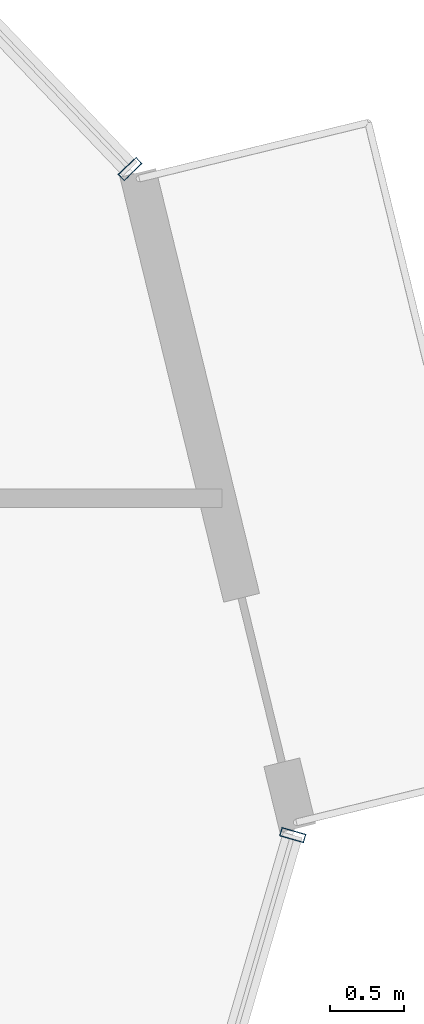
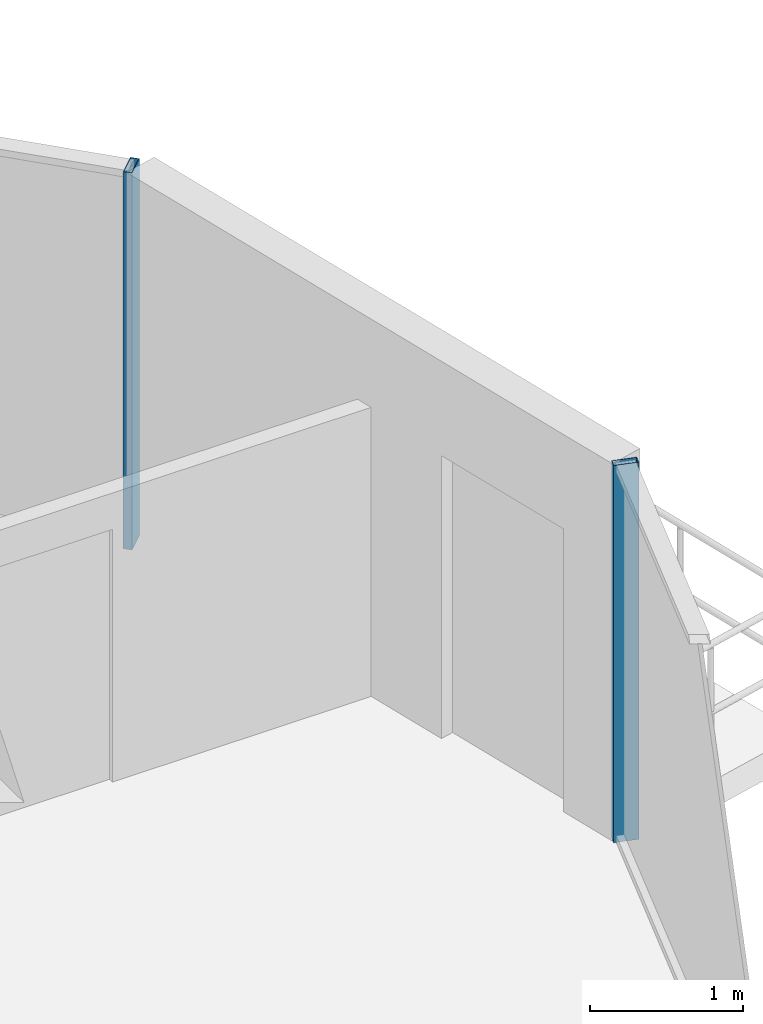
# One storey, part 19 of 37: 2 members, 2 elements without a shape of their own.
"""IFC4 building model written with IfcOpenShell, lengths in metres."""

from ifc_helpers import new_model, si_unit, direction, frame, origin, origin_2d, place, context, subcontext, project, spatial, hollow_rectangle, extrude, source, transform, mapped, material, layer, layer_set, material_profile, profile_set, type_object, element, aggregate, save


model = new_model("IFC4")

# Units and contexts
model_context = context("Model", 3, precision=1e-05, world=origin(), true_north=direction((0.0, 1.0)))
body_context = subcontext(model_context, "Body", "Model", "MODEL_VIEW")
ifc_project = project(units=[si_unit("LENGTHUNIT", "METRE"), si_unit("AREAUNIT", "SQUARE_METRE"), si_unit("VOLUMEUNIT", "CUBIC_METRE"), si_unit("PLANEANGLEUNIT", "RADIAN"), si_unit("MASSUNIT", "GRAM", prefix="KILO")], contexts=[model_context])

# Site, building, storey
site_placement = place(None, origin())
site = spatial("IfcSite", under=ifc_project, at=site_placement, CompositionType="ELEMENT")
building_placement = place(site_placement, origin())
building = spatial("IfcBuilding", under=site, at=building_placement, Name="Veraguas Prism Commons", CompositionType="ELEMENT")
storey_placement = place(building_placement, frame((0.0, 0.0, 70.60009765625)))
storey = spatial("IfcBuildingStorey", under=building, at=storey_placement, Name="L19", CompositionType="ELEMENT", Elevation=70.60009765625)

# Curtain wall, member
ifc_material = material(Name="Anodised aluminium EN AW-6063 T6", Category="aluminium")
ifc_layer = layer(ifc_material, 0.169921875, Name="Unitised Flush Curtain Wall Zone 1", Category="aluminium")
ifc_layer_set = layer_set([ifc_layer], Name="Anodised aluminium EN AW-6063 T6")
curtain_wall_type = type_object("IfcCurtainWallType", Name="Unitised Flush Curtain Wall Zone 1", PredefinedType="NOTDEFINED", material=ifc_layer_set)
curtain_wall_1_placement = place(storey_placement, origin())
curtain_wall_1 = element("IfcCurtainWall", 1, at=curtain_wall_1_placement, inside=storey, type_object=curtain_wall_type, Name="Tower Facade Curtain Wall L19-F1", PredefinedType="NOTDEFINED")
ifc_material_profile = material_profile(ifc_material, hollow_rectangle(XDim=0.06005859375, YDim=0.169921875, WallThickness=0.00390625, at=origin_2d()), Name="AL60X170X4")
ifc_profile_set = profile_set([ifc_material_profile], Name="Anodised aluminium EN AW-6063 T6")
member_type = type_object("IfcMemberType", Name="Curtain Wall Mullion Lower AL 60x170x4", PredefinedType="MULLION", material=ifc_profile_set)
shared_shape = source(origin(), body_context, "Body", "SweptSolid", [
    extrude(hollow_rectangle(XDim=0.06005859375, YDim=0.169921875, WallThickness=0.00390625, at=origin_2d()), origin(), (0.0, 0.0, 1.0), 3.0),
])
member_1_placement = place(storey_placement, frame((45.457275390625, 31.635009765625, 0.0), z_axis=(0.0, 0.0, 1.0), x_axis=(-0.691135993516, 0.722724732154, 0.0)))
member_1 = element("IfcMember", 2, at=member_1_placement, type_object=member_type, Name="CW-Z1 Mullion 1", PredefinedType="MULLION", context=body_context, shape_type="MappedRepresentation", body=[
    mapped(shared_shape, transform((0.0, 0.0, 0.0), scale=1.0)),
])
aggregate(curtain_wall_1, [member_1])

curtain_wall_2_placement = place(storey_placement, origin())
curtain_wall_2 = element("IfcCurtainWall", 3, at=curtain_wall_2_placement, inside=storey, type_object=curtain_wall_type, Name="Tower Facade Curtain Wall L19-F6", PredefinedType="NOTDEFINED")
member_2_placement = place(storey_placement, frame((46.561767578125, 27.112060546875, 0.0), z_axis=(0.0, 0.0, 1.0), x_axis=(0.280333331925, 0.959902715389, 0.0)))
member_2 = element("IfcMember", 4, at=member_2_placement, type_object=member_type, Name="CW-Z1 Mullion 5", PredefinedType="MULLION", context=body_context, shape_type="MappedRepresentation", body=[
    mapped(shared_shape, transform((0.0, 0.0, 0.0), scale=1.0)),
])
aggregate(curtain_wall_2, [member_2])

save(model, "model.ifc")
